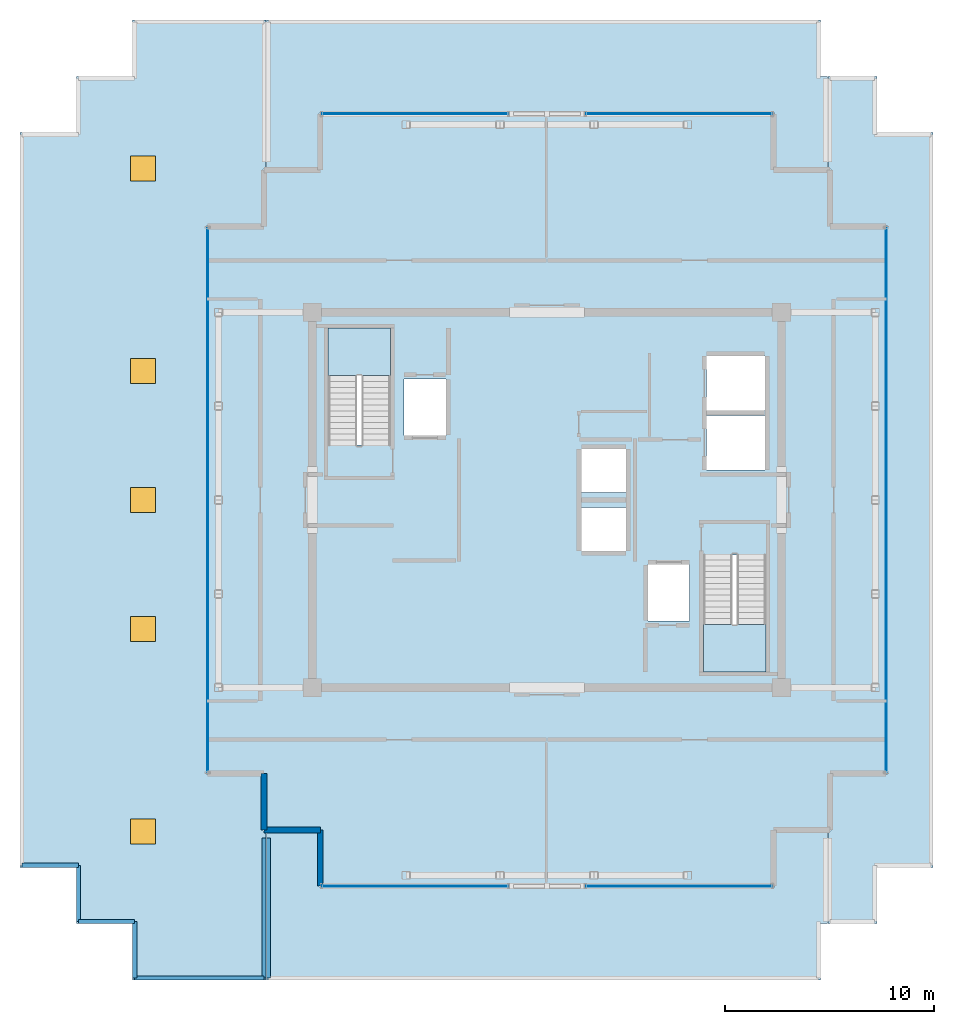
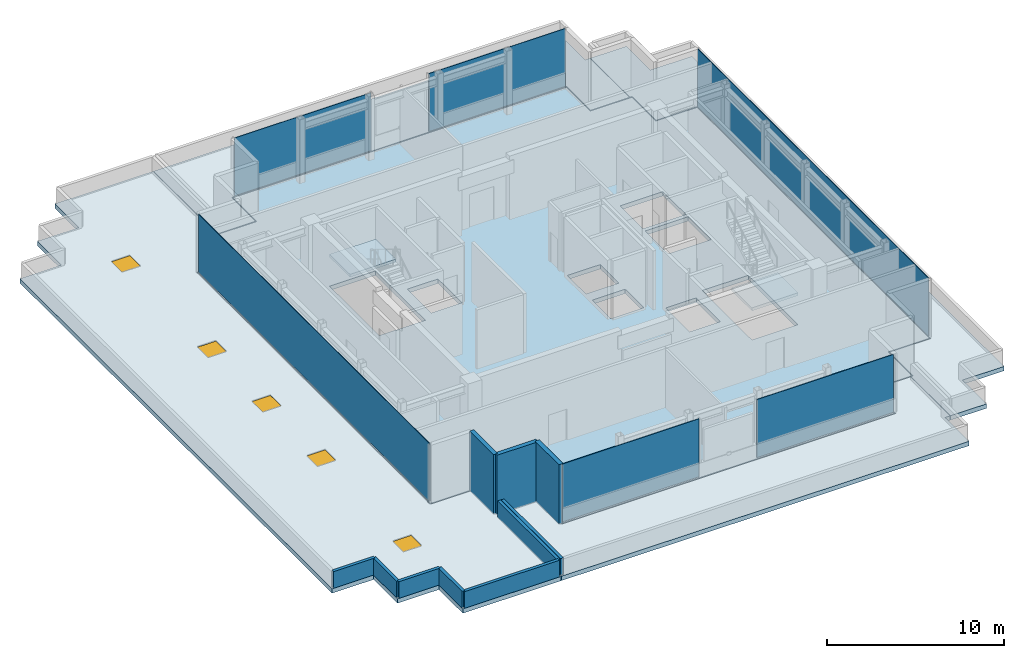
# One storey, part 8 of 14: 10 walls, 7 slabs, 6 plates, 5 windows, 5 openings, 8 elements without a shape of their own.
"""IFC4 building model written with IfcOpenShell, lengths in metres."""

from ifc_helpers import new_model, si_unit, direction, frame, frame_2d, origin, origin_2d, place, context, subcontext, project, spatial, polyline, rectangle, outline, extrude, source, transform, mapped, material, layer, layer_set, type_object, element, fill, aggregate, save


model = new_model("IFC4")

# Units and contexts
model_context = context("Model", 3, precision=1e-05, world=origin(), true_north=direction((0.0, 1.0)))
body_context = subcontext(model_context, "Body", "Model", "MODEL_VIEW")
ifc_project = project(units=[si_unit("LENGTHUNIT", "METRE"), si_unit("AREAUNIT", "SQUARE_METRE"), si_unit("VOLUMEUNIT", "CUBIC_METRE"), si_unit("PLANEANGLEUNIT", "RADIAN"), si_unit("MASSUNIT", "GRAM", prefix="KILO")], contexts=[model_context])

# Site, building, storey
site_placement = place(None, origin())
site = spatial("IfcSite", under=ifc_project, at=site_placement, CompositionType="ELEMENT")
building_placement = place(site_placement, origin())
building = spatial("IfcBuilding", under=site, at=building_placement, Name="Nefas-Gora Pilgrimage Tower", CompositionType="ELEMENT")
storey_placement = place(building_placement, frame((0.0, 0.0, 358.60009765625)))
storey = spatial("IfcBuildingStorey", under=building, at=storey_placement, Name="L90", CompositionType="ELEMENT", Elevation=358.60009765625)

# Slab
ifc_material_1 = material(Name="Concrete C45/55", Category="concrete")
ifc_layer_1 = layer(ifc_material_1, 0.300048828125)
ifc_layer_set_1 = layer_set([ifc_layer_1], Name="Concrete C45/55")
slab_type_1 = type_object("IfcSlabType", Name="SLB-SPEC-300", PredefinedType="FLOOR", material=ifc_layer_set_1)
slab_1_placement = place(storey_placement, frame((0.0, 0.0, -0.300048828125)))
element("IfcSlab", 1, at=slab_1_placement, inside=storey, type_object=slab_type_1, Name="L90 Structural Floor Slab", PredefinedType="FLOOR", context=body_context, shape_type="SweptSolid", body=[
    extrude(outline(polyline([(16.27001953125, 13.1201171875), (13.570068359375, 13.1201171875), (13.570068359375, 15.820068359375), (10.8701171875, 15.820068359375), (10.8701171875, 18.52001953125), (-10.8701171875, 18.52001953125), (-10.8701171875, 15.820068359375), (-13.570068359375, 15.820068359375), (-13.570068359375, 13.1201171875), (-16.27001953125, 13.1201171875), (-16.27001953125, -13.1201171875), (-13.570068359375, -13.1201171875), (-13.570068359375, -15.820068359375), (-10.8701171875, -15.820068359375), (-10.8701171875, -18.52001953125), (10.8701171875, -18.52001953125), (10.8701171875, -15.820068359375), (13.570068359375, -15.820068359375), (13.570068359375, -13.1201171875), (16.27001953125, -13.1201171875), (16.27001953125, 13.1201171875)]), holes=[polyline([(-10.5, 2.639892578125), (-10.5, 8.25), (-7.5, 8.25), (-7.5, 2.639892578125), (-10.5, 2.639892578125)]), polyline([(10.5, -2.639892578125), (10.5, -8.25), (7.5, -8.25), (7.5, -2.639892578125), (10.5, -2.639892578125)]), polyline([(-6.85009765625, 5.800048828125), (-4.85009765625, 5.800048828125), (-4.85009765625, 3.10009765625), (-6.85009765625, 3.10009765625), (-6.85009765625, 5.800048828125)]), polyline([(4.85009765625, -3.10009765625), (6.85009765625, -3.10009765625), (6.85009765625, -5.800048828125), (4.85009765625, -5.800048828125), (4.85009765625, -3.10009765625)]), polyline([(7.64990234375, 4.050048828125), (10.449951171875, 4.050048828125), (10.449951171875, 1.449951171875), (7.64990234375, 1.449951171875), (7.64990234375, 4.050048828125)]), polyline([(7.64990234375, 6.89990234375), (10.449951171875, 6.89990234375), (10.449951171875, 4.300048828125), (7.64990234375, 4.300048828125), (7.64990234375, 6.89990234375)]), polyline([(1.64990234375, -0.35009765625), (3.800048828125, -0.35009765625), (3.800048828125, -2.449951171875), (1.64990234375, -2.449951171875), (1.64990234375, -0.35009765625)]), polyline([(1.64990234375, 2.449951171875), (3.800048828125, 2.449951171875), (3.800048828125, 0.35009765625), (1.64990234375, 0.35009765625), (1.64990234375, 2.449951171875)])]), origin(), (0.0, 0.0, 1.0), 0.300048828125),
])

# Slab, openings, windows
ifc_layer_2 = layer(ifc_material_1, 0.300048828125)
ifc_layer_set_2 = layer_set([ifc_layer_2], Name="Concrete C45/55")
slab_type_2 = type_object("IfcSlabType", Name="SLB-TER-L90-1", PredefinedType="ROOF", material=ifc_layer_set_2)
slab_2_placement = place(storey_placement, frame((0.0, 0.0, -0.300048828125)))
slab_2 = element("IfcSlab", 2, at=slab_2_placement, inside=storey, type_object=slab_type_2, Name="L90 Plant Maintenance Roof Slab TER-L90-1", PredefinedType="ROOF", context=body_context, shape_type="SweptSolid", body=[
    extrude(outline(polyline([(-13.469970703125, -23.02001953125), (-13.469970703125, -15.8701171875), (-13.570068359375, -15.8701171875), (-13.574951171875, -15.869873046875), (-13.579833984375, -15.868896484375), (-13.58447265625, -15.867919921875), (-13.589111328125, -15.8662109375), (-13.593505859375, -15.864013671875), (-13.597900390625, -15.861572265625), (-13.601806640625, -15.858642578125), (-13.60546875, -15.85546875), (-13.608642578125, -15.851806640625), (-13.611572265625, -15.847900390625), (-13.614013671875, -15.843505859375), (-13.6162109375, -15.839111328125), (-13.617919921875, -15.83447265625), (-13.618896484375, -15.829833984375), (-13.619873046875, -15.824951171875), (-13.6201171875, -15.820068359375), (-13.6201171875, -13.169921875), (-16.27001953125, -13.169921875), (-16.27490234375, -13.169921875), (-16.27978515625, -13.1689453125), (-16.284423828125, -13.167724609375), (-16.2890625, -13.166259765625), (-16.293701171875, -13.1640625), (-16.2978515625, -13.16162109375), (-16.3017578125, -13.15869140625), (-16.305419921875, -13.155517578125), (-16.30859375, -13.151611328125), (-16.3115234375, -13.147705078125), (-16.314208984375, -13.1435546875), (-16.316162109375, -13.13916015625), (-16.31787109375, -13.134521484375), (-16.319091796875, -13.1298828125), (-16.31982421875, -13.125), (-16.320068359375, -13.1201171875), (-16.320068359375, 13.1201171875), (-16.31982421875, 13.125), (-16.319091796875, 13.1298828125), (-16.31787109375, 13.134521484375), (-16.316162109375, 13.13916015625), (-16.314208984375, 13.1435546875), (-16.3115234375, 13.147705078125), (-16.30859375, 13.151611328125), (-16.305419921875, 13.155517578125), (-16.3017578125, 13.15869140625), (-16.2978515625, 13.16162109375), (-16.293701171875, 13.1640625), (-16.2890625, 13.166259765625), (-16.284423828125, 13.167724609375), (-16.27978515625, 13.1689453125), (-16.27490234375, 13.169921875), (-16.27001953125, 13.169921875), (-13.6201171875, 13.169921875), (-13.6201171875, 15.820068359375), (-13.619873046875, 15.824951171875), (-13.618896484375, 15.829833984375), (-13.617919921875, 15.83447265625), (-13.6162109375, 15.839111328125), (-13.614013671875, 15.843505859375), (-13.611572265625, 15.847900390625), (-13.608642578125, 15.851806640625), (-13.60546875, 15.85546875), (-13.601806640625, 15.858642578125), (-13.597900390625, 15.861572265625), (-13.593505859375, 15.864013671875), (-13.589111328125, 15.8662109375), (-13.58447265625, 15.867919921875), (-13.579833984375, 15.868896484375), (-13.574951171875, 15.869873046875), (-13.570068359375, 15.8701171875), (-13.469970703125, 15.8701171875), (-13.469970703125, 23.02001953125), (-19.8701171875, 23.02001953125), (-19.8701171875, 20.320068359375), (-22.570068359375, 20.320068359375), (-22.570068359375, 17.6201171875), (-25.27001953125, 17.6201171875), (-25.27001953125, -17.6201171875), (-22.570068359375, -17.6201171875), (-22.570068359375, -20.320068359375), (-19.8701171875, -20.320068359375), (-19.8701171875, -23.02001953125), (-13.469970703125, -23.02001953125)]), holes=[polyline([(-19.969970703125, -16.489990234375), (-19.969970703125, -15.2900390625), (-18.77001953125, -15.2900390625), (-18.77001953125, -16.489990234375), (-19.969970703125, -16.489990234375)]), polyline([(-19.969970703125, -6.780029296875), (-19.969970703125, -5.580078125), (-18.77001953125, -5.580078125), (-18.77001953125, -6.780029296875), (-19.969970703125, -6.780029296875)]), polyline([(-19.969970703125, 5.580078125), (-19.969970703125, 6.780029296875), (-18.77001953125, 6.780029296875), (-18.77001953125, 5.580078125), (-19.969970703125, 5.580078125)]), polyline([(-19.969970703125, 15.2900390625), (-19.969970703125, 16.489990234375), (-18.77001953125, 16.489990234375), (-18.77001953125, 15.2900390625), (-19.969970703125, 15.2900390625)]), polyline([(-19.969970703125, -0.60009765625), (-19.969970703125, 0.60009765625), (-18.77001953125, 0.60009765625), (-18.77001953125, -0.60009765625), (-19.969970703125, -0.60009765625)])]), origin(), (0.0, 0.0, 1.0), 0.300048828125),
])
opening_1_placement = place(slab_2_placement, frame((-19.3701171875, -15.889892578125, 0.0)))
opening_1 = element("IfcOpeningElement", 3, at=opening_1_placement, cuts=slab_2, Name="Opening RH-01", PredefinedType="OPENING", context=body_context, shape_type="SweptSolid", body=[
    extrude(rectangle(XDim=1.199951171875, YDim=1.199951171875, at=origin_2d()), frame((0.0, 0.0, -0.010009765625)), (0.0, 0.0, 1.0), 0.320068359375),
])
opening_2_placement = place(slab_2_placement, frame((-19.3701171875, -6.179931640625, 0.0)))
opening_2 = element("IfcOpeningElement", 4, at=opening_2_placement, cuts=slab_2, Name="Opening RH-01", PredefinedType="OPENING", context=body_context, shape_type="SweptSolid", body=[
    extrude(rectangle(XDim=1.199951171875, YDim=1.199951171875, at=origin_2d()), frame((0.0, 0.0, -0.010009765625)), (0.0, 0.0, 1.0), 0.320068359375),
])
opening_3_placement = place(slab_2_placement, frame((-19.3701171875, 6.179931640625, 0.0)))
opening_3 = element("IfcOpeningElement", 5, at=opening_3_placement, cuts=slab_2, Name="Opening RH-01", PredefinedType="OPENING", context=body_context, shape_type="SweptSolid", body=[
    extrude(rectangle(XDim=1.199951171875, YDim=1.199951171875, at=origin_2d()), frame((0.0, 0.0, -0.010009765625)), (0.0, 0.0, 1.0), 0.320068359375),
])
opening_4_placement = place(slab_2_placement, frame((-19.3701171875, 15.889892578125, 0.0)))
opening_4 = element("IfcOpeningElement", 6, at=opening_4_placement, cuts=slab_2, Name="Opening RH-01", PredefinedType="OPENING", context=body_context, shape_type="SweptSolid", body=[
    extrude(rectangle(XDim=1.199951171875, YDim=1.199951171875, at=origin_2d()), frame((0.0, 0.0, -0.010009765625)), (0.0, 0.0, 1.0), 0.320068359375),
])
opening_5_placement = place(slab_2_placement, frame((-19.3701171875, 0.0, 0.0)))
opening_5 = element("IfcOpeningElement", 7, at=opening_5_placement, cuts=slab_2, Name="Opening RH-01", PredefinedType="OPENING", context=body_context, shape_type="SweptSolid", body=[
    extrude(rectangle(XDim=1.199951171875, YDim=1.199951171875, at=origin_2d()), frame((0.0, 0.0, -0.010009765625)), (0.0, 0.0, 1.0), 0.320068359375),
])
ifc_material_2 = material(Name="Insulated aluminium smoke and maintenance roof hatch", Category="aluminium")
window_type = type_object("IfcWindowType", Name="WIN-HATCH-1200x1200", PartitioningType="SINGLE_PANEL", PredefinedType="SKYLIGHT", material=ifc_material_2)
window_1_placement = place(opening_1_placement, frame((0.0, 0.0, 0.25)))
window_1 = element("IfcWindow", 8, at=window_1_placement, inside=storey, type_object=window_type, Name="Roof Maintenance Smoke and Access Hatch RH-01.1", OverallHeight=1.199951171875, OverallWidth=1.199951171875, PartitioningType="SINGLE_PANEL", PredefinedType="SKYLIGHT", context=body_context, shape_type="SweptSolid", body=[
    extrude(rectangle(XDim=1.199951171875, YDim=1.199951171875, at=origin_2d()), origin(), (0.0, 0.0, 1.0), 0.050048828125),
])
fill(opening_1, window_1)
window_2_placement = place(opening_2_placement, frame((0.0, 0.0, 0.25)))
window_2 = element("IfcWindow", 9, at=window_2_placement, inside=storey, type_object=window_type, Name="Roof Maintenance Smoke and Access Hatch RH-01.2", OverallHeight=1.199951171875, OverallWidth=1.199951171875, PartitioningType="SINGLE_PANEL", PredefinedType="SKYLIGHT", context=body_context, shape_type="SweptSolid", body=[
    extrude(rectangle(XDim=1.199951171875, YDim=1.199951171875, at=origin_2d()), origin(), (0.0, 0.0, 1.0), 0.050048828125),
])
fill(opening_2, window_2)
window_3_placement = place(opening_3_placement, frame((0.0, 0.0, 0.25)))
window_3 = element("IfcWindow", 10, at=window_3_placement, inside=storey, type_object=window_type, Name="Roof Maintenance Smoke and Access Hatch RH-01.3", OverallHeight=1.199951171875, OverallWidth=1.199951171875, PartitioningType="SINGLE_PANEL", PredefinedType="SKYLIGHT", context=body_context, shape_type="SweptSolid", body=[
    extrude(rectangle(XDim=1.199951171875, YDim=1.199951171875, at=origin_2d()), origin(), (0.0, 0.0, 1.0), 0.050048828125),
])
fill(opening_3, window_3)
window_4_placement = place(opening_4_placement, frame((0.0, 0.0, 0.25)))
window_4 = element("IfcWindow", 11, at=window_4_placement, inside=storey, type_object=window_type, Name="Roof Maintenance Smoke and Access Hatch RH-01.4", OverallHeight=1.199951171875, OverallWidth=1.199951171875, PartitioningType="SINGLE_PANEL", PredefinedType="SKYLIGHT", context=body_context, shape_type="SweptSolid", body=[
    extrude(rectangle(XDim=1.199951171875, YDim=1.199951171875, at=origin_2d()), origin(), (0.0, 0.0, 1.0), 0.050048828125),
])
fill(opening_4, window_4)
window_5_placement = place(opening_5_placement, frame((0.0, 0.0, 0.25)))
window_5 = element("IfcWindow", 12, at=window_5_placement, inside=storey, type_object=window_type, Name="Roof Maintenance Smoke and Access Hatch RH-01.5", OverallHeight=1.199951171875, OverallWidth=1.199951171875, PartitioningType="SINGLE_PANEL", PredefinedType="SKYLIGHT", context=body_context, shape_type="SweptSolid", body=[
    extrude(rectangle(XDim=1.199951171875, YDim=1.199951171875, at=origin_2d()), origin(), (0.0, 0.0, 1.0), 0.050048828125),
])
fill(opening_5, window_5)

# Slabs
ifc_layer_3 = layer(ifc_material_1, 0.300048828125)
ifc_layer_set_3 = layer_set([ifc_layer_3], Name="Concrete C45/55")
slab_type_3 = type_object("IfcSlabType", Name="SLB-TER-L90-2", PredefinedType="ROOF", material=ifc_layer_set_3)
slab_3_placement = place(storey_placement, frame((0.0, 0.0, -0.300048828125)))
element("IfcSlab", 13, at=slab_3_placement, inside=storey, type_object=slab_type_3, Name="L90 Plant Maintenance Roof Slab TER-L90-2", PredefinedType="ROOF", context=body_context, shape_type="SweptSolid", body=[
    extrude(outline(polyline([(15.820068359375, -17.6201171875), (18.52001953125, -17.6201171875), (18.52001953125, 17.6201171875), (15.820068359375, 17.6201171875), (15.820068359375, 20.320068359375), (13.469970703125, 20.320068359375), (13.469970703125, 15.8701171875), (13.570068359375, 15.8701171875), (13.574951171875, 15.869873046875), (13.579833984375, 15.868896484375), (13.58447265625, 15.867919921875), (13.589111328125, 15.8662109375), (13.593505859375, 15.864013671875), (13.597900390625, 15.861572265625), (13.601806640625, 15.858642578125), (13.60546875, 15.85546875), (13.608642578125, 15.851806640625), (13.611572265625, 15.847900390625), (13.614013671875, 15.843505859375), (13.6162109375, 15.839111328125), (13.617919921875, 15.83447265625), (13.618896484375, 15.829833984375), (13.619873046875, 15.824951171875), (13.6201171875, 15.820068359375), (13.6201171875, 13.169921875), (16.27001953125, 13.169921875), (16.27490234375, 13.169921875), (16.27978515625, 13.1689453125), (16.284423828125, 13.167724609375), (16.2890625, 13.166259765625), (16.293701171875, 13.1640625), (16.2978515625, 13.16162109375), (16.3017578125, 13.15869140625), (16.305419921875, 13.155517578125), (16.30859375, 13.151611328125), (16.3115234375, 13.147705078125), (16.314208984375, 13.1435546875), (16.316162109375, 13.13916015625), (16.31787109375, 13.134521484375), (16.319091796875, 13.1298828125), (16.31982421875, 13.125), (16.320068359375, 13.1201171875), (16.320068359375, -13.1201171875), (16.31982421875, -13.125), (16.319091796875, -13.1298828125), (16.31787109375, -13.134521484375), (16.316162109375, -13.13916015625), (16.314208984375, -13.1435546875), (16.3115234375, -13.147705078125), (16.30859375, -13.151611328125), (16.305419921875, -13.155517578125), (16.3017578125, -13.15869140625), (16.2978515625, -13.16162109375), (16.293701171875, -13.1640625), (16.2890625, -13.166259765625), (16.284423828125, -13.167724609375), (16.27978515625, -13.1689453125), (16.27490234375, -13.169921875), (16.27001953125, -13.169921875), (13.6201171875, -13.169921875), (13.6201171875, -15.820068359375), (13.619873046875, -15.824951171875), (13.618896484375, -15.829833984375), (13.617919921875, -15.83447265625), (13.6162109375, -15.839111328125), (13.614013671875, -15.843505859375), (13.611572265625, -15.847900390625), (13.608642578125, -15.851806640625), (13.60546875, -15.85546875), (13.601806640625, -15.858642578125), (13.597900390625, -15.861572265625), (13.593505859375, -15.864013671875), (13.589111328125, -15.8662109375), (13.58447265625, -15.867919921875), (13.579833984375, -15.868896484375), (13.574951171875, -15.869873046875), (13.570068359375, -15.8701171875), (13.469970703125, -15.8701171875), (13.469970703125, -20.320068359375), (15.820068359375, -20.320068359375), (15.820068359375, -17.6201171875)])), origin(), (0.0, 0.0, 1.0), 0.300048828125),
])
ifc_layer_4 = layer(ifc_material_1, 0.300048828125)
ifc_layer_set_4 = layer_set([ifc_layer_4], Name="Concrete C45/55")
slab_type_4 = type_object("IfcSlabType", Name="SLB-TER-L90-3", PredefinedType="ROOF", material=ifc_layer_set_4)
slab_4_placement = place(storey_placement, frame((0.0, 0.0, -0.300048828125)))
element("IfcSlab", 14, at=slab_4_placement, inside=storey, type_object=slab_type_4, Name="L90 Plant Maintenance Roof Slab TER-L90-3", PredefinedType="ROOF", context=body_context, shape_type="SweptSolid", body=[
    extrude(outline(polyline([(-13.449951171875, 23.02001953125), (-13.449951171875, 15.8701171875), (-10.919921875, 15.8701171875), (-10.919921875, 18.52001953125), (-10.919921875, 18.52490234375), (-10.9189453125, 18.52978515625), (-10.917724609375, 18.534423828125), (-10.916259765625, 18.5390625), (-10.9140625, 18.543701171875), (-10.91162109375, 18.5478515625), (-10.90869140625, 18.5517578125), (-10.905517578125, 18.555419921875), (-10.901611328125, 18.55859375), (-10.897705078125, 18.5615234375), (-10.8935546875, 18.564208984375), (-10.88916015625, 18.566162109375), (-10.884521484375, 18.56787109375), (-10.8798828125, 18.569091796875), (-10.875, 18.56982421875), (-10.8701171875, 18.570068359375), (10.8701171875, 18.570068359375), (10.875, 18.56982421875), (10.8798828125, 18.569091796875), (10.884521484375, 18.56787109375), (10.88916015625, 18.566162109375), (10.8935546875, 18.564208984375), (10.897705078125, 18.5615234375), (10.901611328125, 18.55859375), (10.905517578125, 18.555419921875), (10.90869140625, 18.5517578125), (10.91162109375, 18.5478515625), (10.9140625, 18.543701171875), (10.916259765625, 18.5390625), (10.917724609375, 18.534423828125), (10.9189453125, 18.52978515625), (10.919921875, 18.52490234375), (10.919921875, 18.52001953125), (10.919921875, 15.8701171875), (13.449951171875, 15.8701171875), (13.449951171875, 20.320068359375), (13.1201171875, 20.320068359375), (13.1201171875, 23.02001953125), (-13.449951171875, 23.02001953125)])), origin(), (0.0, 0.0, 1.0), 0.300048828125),
])
ifc_layer_5 = layer(ifc_material_1, 0.300048828125)
ifc_layer_set_5 = layer_set([ifc_layer_5], Name="Concrete C45/55")
slab_type_5 = type_object("IfcSlabType", Name="SLB-TER-L90-4", PredefinedType="ROOF", material=ifc_layer_set_5)
slab_5_placement = place(storey_placement, frame((0.0, 0.0, -0.300048828125)))
element("IfcSlab", 15, at=slab_5_placement, inside=storey, type_object=slab_type_5, Name="L90 Plant Maintenance Roof Slab TER-L90-4", PredefinedType="ROOF", context=body_context, shape_type="SweptSolid", body=[
    extrude(outline(polyline([(13.449951171875, -20.320068359375), (13.449951171875, -15.8701171875), (10.919921875, -15.8701171875), (10.919921875, -18.52001953125), (10.919921875, -18.52490234375), (10.9189453125, -18.52978515625), (10.917724609375, -18.534423828125), (10.916259765625, -18.5390625), (10.9140625, -18.543701171875), (10.91162109375, -18.5478515625), (10.90869140625, -18.5517578125), (10.905517578125, -18.555419921875), (10.901611328125, -18.55859375), (10.897705078125, -18.5615234375), (10.8935546875, -18.564208984375), (10.88916015625, -18.566162109375), (10.884521484375, -18.56787109375), (10.8798828125, -18.569091796875), (10.875, -18.56982421875), (10.8701171875, -18.570068359375), (-10.8701171875, -18.570068359375), (-10.875, -18.56982421875), (-10.8798828125, -18.569091796875), (-10.884521484375, -18.56787109375), (-10.88916015625, -18.566162109375), (-10.8935546875, -18.564208984375), (-10.897705078125, -18.5615234375), (-10.901611328125, -18.55859375), (-10.905517578125, -18.555419921875), (-10.90869140625, -18.5517578125), (-10.91162109375, -18.5478515625), (-10.9140625, -18.543701171875), (-10.916259765625, -18.5390625), (-10.917724609375, -18.534423828125), (-10.9189453125, -18.52978515625), (-10.919921875, -18.52490234375), (-10.919921875, -18.52001953125), (-10.919921875, -15.8701171875), (-13.449951171875, -15.8701171875), (-13.449951171875, -23.02001953125), (13.1201171875, -23.02001953125), (13.1201171875, -20.320068359375), (13.449951171875, -20.320068359375)])), origin(), (0.0, 0.0, 1.0), 0.300048828125),
])

# Stair, slab
stair_type = type_object("IfcStairType", Name="STR-1400-R1692", PredefinedType="HALF_TURN_STAIR", material=ifc_material_1)
stair_1_placement = place(storey_placement, origin())
stair_1 = element("IfcStair", 16, at=stair_1_placement, inside=storey, type_object=stair_type, Name="L90 Pressurised Tower Exit Stair ST-01", PredefinedType="HALF_TURN_STAIR")
ifc_material_3 = material(Name="Concrete C40/50", Category="concrete")
ifc_layer_6 = layer(ifc_material_3, 0.199951171875)
ifc_layer_set_6 = layer_set([ifc_layer_6], Name="Concrete C40/50")
slab_type_6 = type_object("IfcSlabType", Name="STR-LAND-200", PredefinedType="LANDING", material=ifc_layer_set_6)
slab_6_placement = place(storey_placement, frame((0.0, 0.0, 2.0)))
slab_6 = element("IfcSlab", 17, at=slab_6_placement, type_object=slab_type_6, Name="ST-01 landing 1", PredefinedType="LANDING", context=body_context, shape_type="SweptSolid", body=[
    extrude(outline(polyline([(-7.5, 5.9599609375), (-7.5, 8.25), (-10.5, 8.25), (-10.5, 5.9599609375), (-7.5, 5.9599609375)])), origin(), (0.0, 0.0, 1.0), 0.199951171875),
])
aggregate(stair_1, [slab_6])

stair_2_placement = place(storey_placement, origin())
stair_2 = element("IfcStair", 18, at=stair_2_placement, inside=storey, type_object=stair_type, Name="L90 Pressurised Tower Exit Stair ST-02", PredefinedType="HALF_TURN_STAIR")
slab_7_placement = place(storey_placement, frame((0.0, 0.0, 2.0)))
slab_7 = element("IfcSlab", 19, at=slab_7_placement, type_object=slab_type_6, Name="ST-02 landing 1", PredefinedType="LANDING", context=body_context, shape_type="SweptSolid", body=[
    extrude(outline(polyline([(7.5, -5.9599609375), (7.5, -8.25), (10.5, -8.25), (10.5, -5.9599609375), (7.5, -5.9599609375)])), origin(), (0.0, 0.0, 1.0), 0.199951171875),
])
aggregate(stair_2, [slab_7])

# Curtain wall, plate
ifc_material_4 = material(Name="Dark ceramic-fritted solar-control aluminium-glass curtain wall", Category="aluminium")
ifc_layer_7 = layer(ifc_material_4, 0.219970703125)
ifc_layer_set_7 = layer_set([ifc_layer_7], Name="Dark ceramic-fritted solar-control aluminium-glass curtain wall")
curtain_wall_type = type_object("IfcCurtainWallType", Name="CW-SYS-6", PredefinedType="NOTDEFINED", material=ifc_layer_set_7)
curtain_wall_1_placement = place(storey_placement, origin())
curtain_wall_1 = element("IfcCurtainWall", 20, at=curtain_wall_1_placement, inside=storey, type_object=curtain_wall_type, Name="L90 Unitised Curtain Wall CW6", PredefinedType="NOTDEFINED")
ifc_material_5 = material(Name="Dark ceramic-printed low-e insulated glass", Category="glass")
ifc_layer_8 = layer(ifc_material_5, 0.0400390625)
ifc_layer_set_8 = layer_set([ifc_layer_8], Name="Dark ceramic-printed low-e insulated glass")
plate_type = type_object("IfcPlateType", Name="CWP-PNL-6", PredefinedType="CURTAIN_PANEL", material=ifc_layer_set_8)
shared_shape_1 = source(origin(), body_context, "Body", "SweptSolid", [
    extrude(rectangle(XDim=8.889892578125, YDim=0.0400390625, at=origin_2d()), origin(), (0.0, 0.0, 1.0), 3.989990234375),
])
plate_1_placement = place(storey_placement, frame((6.3349609375, 18.52001953125, 0.10009765625), z_axis=(0.0, 0.0, 1.0), x_axis=(-1.0, 0.0, 0.0)))
plate_1 = element("IfcPlate", 21, at=plate_1_placement, type_object=plate_type, Name="CW6 Ceramic-Fritted Glazing Panel 1", PredefinedType="CURTAIN_PANEL", context=body_context, shape_type="MappedRepresentation", body=[
    mapped(shared_shape_1, transform((0.0, 0.0, 0.0), x_axis=(1.0, 0.0, 0.0), y_axis=(0.0, 1.0, 0.0), z_axis=(0.0, 0.0, 1.0), scale=1.0)),
])
aggregate(curtain_wall_1, [plate_1])

curtain_wall_2_placement = place(storey_placement, origin())
curtain_wall_2 = element("IfcCurtainWall", 22, at=curtain_wall_2_placement, inside=storey, type_object=curtain_wall_type, Name="L90 Unitised Curtain Wall CW6", PredefinedType="NOTDEFINED")
plate_2_placement = place(storey_placement, frame((-6.3349609375, 18.52001953125, 0.10009765625), z_axis=(0.0, 0.0, 1.0), x_axis=(-1.0, 0.0, 0.0)))
plate_2 = element("IfcPlate", 23, at=plate_2_placement, type_object=plate_type, Name="CW6 Ceramic-Fritted Glazing Panel 1", PredefinedType="CURTAIN_PANEL", context=body_context, shape_type="MappedRepresentation", body=[
    mapped(shared_shape_1, transform((0.0, 0.0, 0.0), x_axis=(1.0, 0.0, 0.0), y_axis=(0.0, 1.0, 0.0), z_axis=(0.0, 0.0, 1.0), scale=1.0)),
])
aggregate(curtain_wall_2, [plate_2])

curtain_wall_3_placement = place(storey_placement, origin())
curtain_wall_3 = element("IfcCurtainWall", 24, at=curtain_wall_3_placement, inside=storey, type_object=curtain_wall_type, Name="L90 Unitised Curtain Wall CW6", PredefinedType="NOTDEFINED")
plate_3_placement = place(storey_placement, frame((-6.3349609375, -18.52001953125, 0.10009765625), z_axis=(0.0, 0.0, 1.0), x_axis=(1.0, 0.0, 0.0)))
plate_3 = element("IfcPlate", 25, at=plate_3_placement, type_object=plate_type, Name="CW6 Ceramic-Fritted Glazing Panel 1", PredefinedType="CURTAIN_PANEL", context=body_context, shape_type="MappedRepresentation", body=[
    mapped(shared_shape_1, transform((0.0, 0.0, 0.0), x_axis=(1.0, 0.0, 0.0), y_axis=(0.0, 1.0, 0.0), z_axis=(0.0, 0.0, 1.0), scale=1.0)),
])
aggregate(curtain_wall_3, [plate_3])

curtain_wall_4_placement = place(storey_placement, origin())
curtain_wall_4 = element("IfcCurtainWall", 26, at=curtain_wall_4_placement, inside=storey, type_object=curtain_wall_type, Name="L90 Unitised Curtain Wall CW6", PredefinedType="NOTDEFINED")
plate_4_placement = place(storey_placement, frame((6.3349609375, -18.52001953125, 0.10009765625), z_axis=(0.0, 0.0, 1.0), x_axis=(1.0, 0.0, 0.0)))
plate_4 = element("IfcPlate", 27, at=plate_4_placement, type_object=plate_type, Name="CW6 Ceramic-Fritted Glazing Panel 1", PredefinedType="CURTAIN_PANEL", context=body_context, shape_type="MappedRepresentation", body=[
    mapped(shared_shape_1, transform((0.0, 0.0, 0.0), x_axis=(1.0, 0.0, 0.0), y_axis=(0.0, 1.0, 0.0), z_axis=(0.0, 0.0, 1.0), scale=1.0)),
])
aggregate(curtain_wall_4, [plate_4])

curtain_wall_5_placement = place(storey_placement, origin())
curtain_wall_5 = element("IfcCurtainWall", 28, at=curtain_wall_5_placement, inside=storey, type_object=curtain_wall_type, Name="L90 Unitised Curtain Wall CW6", PredefinedType="NOTDEFINED")
shared_shape_2 = source(origin(), body_context, "Body", "SweptSolid", [
    extrude(rectangle(XDim=26.06005859375, YDim=0.0400390625, at=origin_2d()), origin(), (0.0, 0.0, 1.0), 3.989990234375),
])
plate_5_placement = place(storey_placement, frame((-16.27001953125, 0.0, 0.10009765625), z_axis=(0.0, 0.0, 1.0), x_axis=(0.0, -1.0, 0.0)))
plate_5 = element("IfcPlate", 29, at=plate_5_placement, type_object=plate_type, Name="CW6 Ceramic-Fritted Glazing Panel 1", PredefinedType="CURTAIN_PANEL", context=body_context, shape_type="MappedRepresentation", body=[
    mapped(shared_shape_2, transform((0.0, 0.0, 0.0), x_axis=(1.0, 0.0, 0.0), y_axis=(0.0, 1.0, 0.0), z_axis=(0.0, 0.0, 1.0), scale=1.0)),
])
aggregate(curtain_wall_5, [plate_5])

curtain_wall_6_placement = place(storey_placement, origin())
curtain_wall_6 = element("IfcCurtainWall", 30, at=curtain_wall_6_placement, inside=storey, type_object=curtain_wall_type, Name="L90 Unitised Curtain Wall CW6", PredefinedType="NOTDEFINED")
plate_6_placement = place(storey_placement, frame((16.27001953125, 0.0, 0.10009765625), z_axis=(0.0, 0.0, 1.0), x_axis=(0.0, 1.0, 0.0)))
plate_6 = element("IfcPlate", 31, at=plate_6_placement, type_object=plate_type, Name="CW6 Ceramic-Fritted Glazing Panel 1", PredefinedType="CURTAIN_PANEL", context=body_context, shape_type="MappedRepresentation", body=[
    mapped(shared_shape_2, transform((0.0, 0.0, 0.0), x_axis=(1.0, 0.0, 0.0), y_axis=(0.0, 1.0, 0.0), z_axis=(0.0, 0.0, 1.0), scale=1.0)),
])
aggregate(curtain_wall_6, [plate_6])

# Walls
ifc_material_6 = material(Name="Precast concrete C40/50", Category="concrete")
ifc_layer_9 = layer(ifc_material_6, 0.199951171875)
ifc_layer_set_9 = layer_set([ifc_layer_9], Name="Precast concrete C40/50")
wall_type_1 = type_object("IfcWallType", Name="EW-PARA-200", PredefinedType="PARAPET", material=ifc_layer_set_9)
shared_shape_3 = source(origin(), body_context, "Body", "SweptSolid", [
    extrude(rectangle(XDim=6.199951171875, YDim=0.199951171875, at=frame_2d((3.10009765625, 0.0))), origin(), (0.0, 0.0, 1.0), 1.14990234375),
])
wall_placement = place(storey_placement, frame((-13.570068359375, -22.919921875, 0.0), z_axis=(0.0, 0.0, 1.0), x_axis=(-1.0, 0.0, 0.0)))
element("IfcWall", 32, at=wall_placement, inside=storey, type_object=wall_type_1, Name="L90 Maintenance Roof Perimeter Parapet 1.1", PredefinedType="PARAPET", context=body_context, shape_type="MappedRepresentation", body=[
    mapped(shared_shape_3, transform((0.0, 0.0, 0.0), x_axis=(1.0, 0.0, 0.0), y_axis=(0.0, 1.0, 0.0), z_axis=(0.0, 0.0, 1.0), scale=1.0)),
])
shared_shape_4 = source(origin(), body_context, "Body", "SweptSolid", [
    extrude(rectangle(XDim=2.699951171875, YDim=0.199951171875, at=frame_2d((1.35009765625, 0.0))), origin(), (0.0, 0.0, 1.0), 1.14990234375),
])
for number, where, z_axis, x_axis, name in (
    (33, (-19.77001953125, -22.919921875, 0.0), (0.0, 0.0, 1.0), (0.0, 1.0, 0.0), "L90 Maintenance Roof Perimeter Parapet 1.2"),
    (34, (-19.77001953125, -20.219970703125, 0.0), (0.0, 0.0, 1.0), (-1.0, 0.0, 0.0), "L90 Maintenance Roof Perimeter Parapet 1.3"),
    (35, (-22.469970703125, -20.219970703125, 0.0), (0.0, 0.0, 1.0), (0.0, 1.0, 0.0), "L90 Maintenance Roof Perimeter Parapet 1.4"),
    (36, (-22.469970703125, -17.52001953125, 0.0), (0.0, 0.0, 1.0), (-1.0, 0.0, 0.0), "L90 Maintenance Roof Perimeter Parapet 1.5"),
):
    element("IfcWall", number, at=place(storey_placement, frame(where, z_axis=z_axis, x_axis=x_axis)), inside=storey, type_object=wall_type_1, Name=name, PredefinedType="PARAPET", context=body_context, shape_type="MappedRepresentation", body=[
        mapped(shared_shape_4, transform((0.0, 0.0, 0.0), x_axis=(1.0, 0.0, 0.0), y_axis=(0.0, 1.0, 0.0), z_axis=(0.0, 0.0, 1.0), scale=1.0)),
    ])
shared_shape_5 = source(origin(), body_context, "Body", "SweptSolid", [
    extrude(rectangle(XDim=6.699951171875, YDim=0.199951171875, at=frame_2d((3.35009765625, 0.0))), origin(), (0.0, 0.0, 1.0), 1.14990234375),
])
for number, where, z_axis, x_axis, name in (
    (37, (-13.570068359375, -16.219970703125, 0.0), (0.0, 0.0, 1.0), (0.0, -1.0, 0.0), "L90 Maintenance Roof Perimeter Parapet 1.13"),
    (38, (-13.35009765625, -22.919921875, 0.0), (0.0, 0.0, 1.0), (0.0, 1.0, 0.0), "L90 Maintenance Roof Perimeter Parapet 4.3"),
):
    element("IfcWall", number, at=place(storey_placement, frame(where, z_axis=z_axis, x_axis=x_axis)), inside=storey, type_object=wall_type_1, Name=name, PredefinedType="PARAPET", context=body_context, shape_type="MappedRepresentation", body=[
        mapped(shared_shape_5, transform((0.0, 0.0, 0.0), x_axis=(1.0, 0.0, 0.0), y_axis=(0.0, 1.0, 0.0), z_axis=(0.0, 0.0, 1.0), scale=1.0)),
    ])
ifc_material_7 = material(Name="Precast concrete C45/55", Category="concrete")
ifc_layer_10 = layer(ifc_material_7, 0.280029296875)
ifc_layer_set_10 = layer_set([ifc_layer_10], Name="Precast concrete C45/55")
wall_type_2 = type_object("IfcWallType", Name="EW-PLANT-280", PredefinedType="SOLIDWALL", material=ifc_layer_set_10)
shared_shape_6 = source(origin(), body_context, "Body", "SweptSolid", [
    extrude(rectangle(XDim=2.699951171875, YDim=0.280029296875, at=frame_2d((1.35009765625, 0.0))), origin(), (0.0, 0.0, 1.0), 4.099853515625),
])
for number, where, z_axis, x_axis, name in (
    (39, (-13.570068359375, -13.1201171875, 0.0), (0.0, 0.0, 1.0), (0.0, -1.0, 0.0), "L90 Serrated Corner Shear Pier Wall 11"),
    (40, (-13.570068359375, -15.820068359375, 0.0), (0.0, 0.0, 1.0), (1.0, 0.0, 0.0), "L90 Serrated Corner Shear Pier Wall 12"),
    (41, (-10.8701171875, -15.820068359375, 0.0), (0.0, 0.0, 1.0), (0.0, -1.0, 0.0), "L90 Serrated Corner Shear Pier Wall 13"),
):
    element("IfcWall", number, at=place(storey_placement, frame(where, z_axis=z_axis, x_axis=x_axis)), inside=storey, type_object=wall_type_2, Name=name, PredefinedType="SOLIDWALL", context=body_context, shape_type="MappedRepresentation", body=[
        mapped(shared_shape_6, transform((0.0, 0.0, 0.0), x_axis=(1.0, 0.0, 0.0), y_axis=(0.0, 1.0, 0.0), z_axis=(0.0, 0.0, 1.0), scale=1.0)),
    ])

save(model, "model.ifc")
